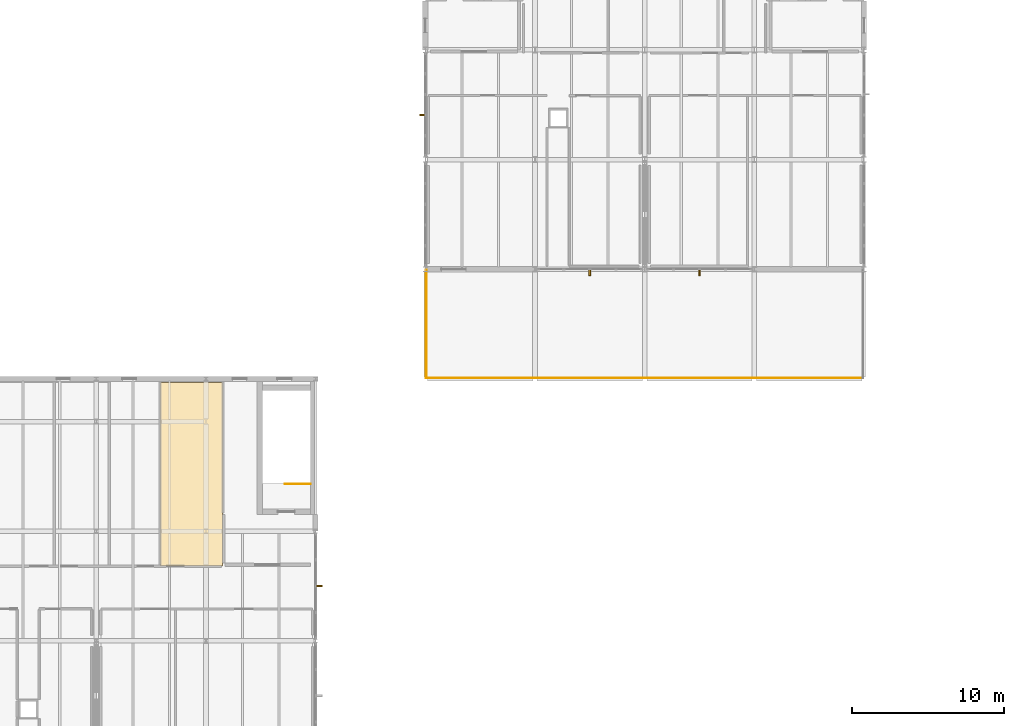
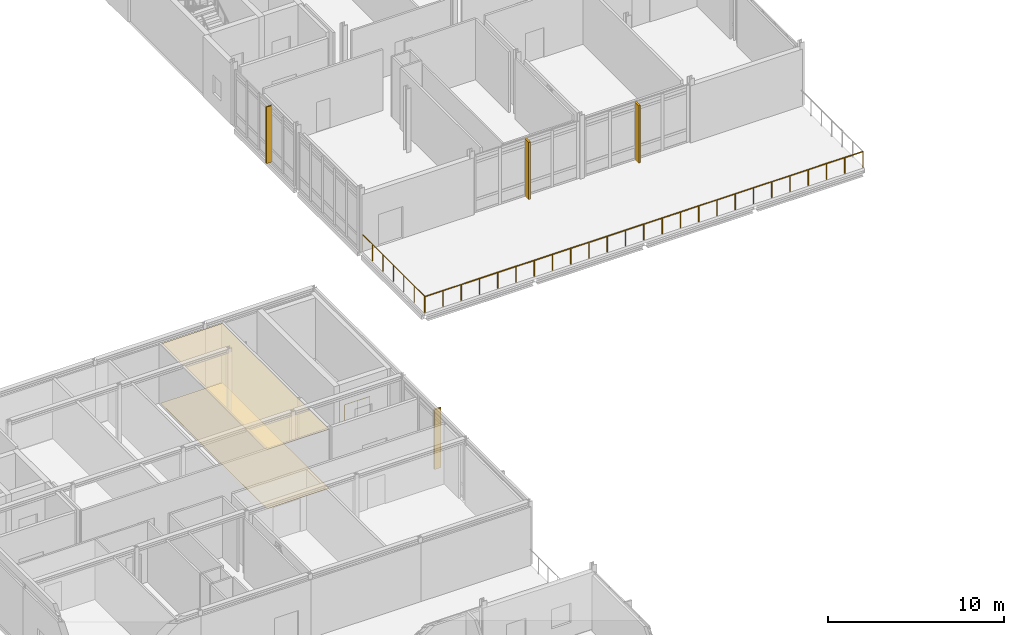
# One storey, part 51 of 53: 4 shading devices, 3 railings, 2 coverings.
"""IFC4 building model written with IfcOpenShell, lengths in metres."""

import ifcopenshell
import ifcopenshell.guid

model = None  # the IFC model being written
_history = None  # IfcOwnerHistory: only IFC2X3 demands one
_inside = {}  # id of a spatial element -> (the spatial element, [elements in it])
_under = {}  # id of a project, library or spatial element -> (it, [spatial elements below it])
_declared = {}  # id of a project -> (the project, [libraries it declares])
_typed = {}  # id of a type object -> (the type object, [elements of that type])
_made_of = {}  # id of a material, layer set ... -> (it, [elements and type objects made of it])


def new_model(schema):
    """Start an empty IFC model of exactly this schema.

    Asked for "IFC4X3", IfcOpenShell would pick the latest addendum, in which some entities
    have other attributes; the version numbers below select the first issue.
    IFC2X3 requires an IfcOwnerHistory on every rooted entity: one is made here for all.
    """
    global model, _history
    if schema == "IFC4X3":
        model = ifcopenshell.file(schema_version=(4, 3, 0, 0))
    else:
        model = ifcopenshell.file(schema=schema)
    _inside.clear()
    _under.clear()
    _declared.clear()
    _typed.clear()
    _made_of.clear()
    _history = None
    if model.schema == "IFC2X3":
        org = make("IfcOrganization", Name="unknown")
        user = make(
            "IfcPersonAndOrganization",
            ThePerson=make("IfcPerson", FamilyName="unknown"),
            TheOrganization=org,
        )
        app = make(
            "IfcApplication",
            ApplicationDeveloper=org,
            Version="unknown",
            ApplicationFullName="unknown",
            ApplicationIdentifier="unknown",
        )
        _history = make(
            "IfcOwnerHistory",
            OwningUser=user,
            OwningApplication=app,
            ChangeAction="ADDED",
            CreationDate=0,
        )
    return model


def make(cls, **values):
    """One entity of the class cls with the attributes given. An attribute that is None is left unset."""
    return model.create_entity(
        cls, **{name: value for name, value in values.items() if value is not None}
    )


def rooted(cls, **values):
    """An entity with a GlobalId (a new one), such as an element, a storey or a relation."""
    return make(cls, GlobalId=ifcopenshell.guid.new(), OwnerHistory=_history, **values)


def si_unit(unit_type, name, prefix=None):
    """IfcSIUnit, for example si_unit("LENGTHUNIT", "METRE", prefix="MILLI")."""
    return make("IfcSIUnit", UnitType=unit_type, Prefix=prefix, Name=name)


def assignment(units):
    """IfcUnitAssignment: the units of a project."""
    return None if units is None else make("IfcUnitAssignment", Units=units)


def point(xyz):
    """IfcCartesianPoint."""
    return None if xyz is None else make("IfcCartesianPoint", Coordinates=xyz)


def direction(xyz):
    """IfcDirection."""
    return None if xyz is None else make("IfcDirection", DirectionRatios=xyz)


def frame(location, z_axis=None, x_axis=None):
    """IfcAxis2Placement3D, a coordinate frame: its origin and axes. An axis left out is left unset."""
    return make(
        "IfcAxis2Placement3D",
        Location=point(location),
        Axis=direction(z_axis),
        RefDirection=direction(x_axis),
    )


def frame_2d(location, x_axis=None):
    """IfcAxis2Placement2D, a coordinate frame in the plane: its origin and x axis."""
    return make(
        "IfcAxis2Placement2D", Location=point(location), RefDirection=direction(x_axis)
    )


def origin():
    """The frame at (0, 0, 0) with its axes left unset."""
    return frame((0.0, 0.0, 0.0))


def origin_2d():
    """The frame at (0, 0) in the plane with its x axis left unset."""
    return frame_2d((0.0, 0.0))


def place(relative_to, where):
    """IfcLocalPlacement: puts the frame where relative to a parent placement (None: the world)."""
    return make(
        "IfcLocalPlacement", PlacementRelTo=relative_to, RelativePlacement=where
    )


def context(
    kind, dimensions, precision=None, world=None, true_north=None, identifier=None
):
    """IfcGeometricRepresentationContext, for example the 3D "Model" context."""
    return make(
        "IfcGeometricRepresentationContext",
        ContextIdentifier=identifier,
        ContextType=kind,
        CoordinateSpaceDimension=dimensions,
        Precision=precision,
        WorldCoordinateSystem=world,
        TrueNorth=true_north,
    )


def subcontext(parent, identifier, kind, view, scale=None):
    """IfcGeometricRepresentationSubContext, for example "Body" below "Model"."""
    return make(
        "IfcGeometricRepresentationSubContext",
        ContextIdentifier=identifier,
        ContextType=kind,
        ParentContext=parent,
        TargetScale=scale,
        TargetView=view,
    )


def project(units=None, contexts=None):
    """IfcProject with its units and contexts."""
    return rooted(
        "IfcProject",
        Name="project",
        RepresentationContexts=contexts,
        UnitsInContext=assignment(units),
    )


def spatial(cls, under=None, at=None, **own):
    """A site, building, storey or space (cls), placed at a placement, below another one or the project."""
    s = rooted(cls, ObjectPlacement=at, **own)
    if under is not None:
        _under.setdefault(under.id(), (under, []))[1].append(s)
    return s


def polyline(points):
    """IfcPolyline through the points."""
    return make("IfcPolyline", Points=[point(p) for p in points])


def profile(cls, at=None, kind="AREA", **sizes):
    """A parametric profile (cls). Its sizes go by their IFC names, for example OverallWidth=200.0."""
    return make(cls, ProfileType=kind, Position=at, **sizes)


def rectangle(**sizes):
    """IfcRectangleProfileDef."""
    return profile("IfcRectangleProfileDef", **sizes)


def circle(**sizes):
    """IfcCircleProfileDef."""
    return profile("IfcCircleProfileDef", **sizes)


def outline(outer, holes=None, kind="AREA"):
    """IfcArbitraryClosedProfileDef: a profile drawn as a closed curve; with holes, ...WithVoids."""
    if holes is None:
        return make("IfcArbitraryClosedProfileDef", ProfileType=kind, OuterCurve=outer)
    return make(
        "IfcArbitraryProfileDefWithVoids",
        ProfileType=kind,
        OuterCurve=outer,
        InnerCurves=holes,
    )


def extrude(swept, where, along, depth):
    """IfcExtrudedAreaSolid: the profile swept, set in the frame where, extruded along a direction by depth."""
    return make(
        "IfcExtrudedAreaSolid",
        SweptArea=swept,
        Position=where,
        ExtrudedDirection=direction(along),
        Depth=depth,
    )


def shape(context_of_items, identifier, shape_type, items):
    """IfcShapeRepresentation: the items that make up one representation, for example the "Body"."""
    return make(
        "IfcShapeRepresentation",
        ContextOfItems=context_of_items,
        RepresentationIdentifier=identifier,
        RepresentationType=shape_type,
        Items=items,
    )


def material(Name=None, Category=None):
    """IfcMaterial."""
    return make("IfcMaterial", Name=Name, Category=Category)


def layer(
    of_material, thickness, ventilated=None, Name=None, Category=None, Priority=None
):
    """IfcMaterialLayer: one layer of a wall or slab, of a material (None: an air gap)."""
    return make(
        "IfcMaterialLayer",
        Material=of_material,
        LayerThickness=thickness,
        IsVentilated=ventilated,
        Name=Name,
        Category=Category,
        Priority=Priority,
    )


def layer_set(layers, Name=None):
    """IfcMaterialLayerSet."""
    return make("IfcMaterialLayerSet", MaterialLayers=layers, LayerSetName=Name)


def made_of(thing, what):
    """Note that an element or type object is made of a material, layer set ...; save() writes the relation."""
    if what is not None:
        _made_of.setdefault(what.id(), (what, []))[1].append(thing)
    return thing


def type_object(cls, material=None, **own):
    """A type object (cls), such as IfcWallType, which elements share."""
    return made_of(rooted(cls, **own), material)


def element(
    cls,
    number,
    at=None,
    inside=None,
    cuts=None,
    type_object=None,
    material=None,
    context=None,
    identifier="Body",
    shape_type=None,
    held_by="IfcProductDefinitionShape",
    body=None,
    shapes=None,
    **own,
):
    """One element of the class cls, such as IfcWall. Its Tag is "e" and its number.

    at: its placement. inside: the storey or other place that contains it. cuts: it is an
    opening in that element (IfcRelVoidsElement). A single representation is given by context,
    identifier, shape_type and body (its items); several are given by shapes. held_by: the class
    of the entity that holds the representations. save() writes the other relations.
    """
    e = rooted(cls, Tag="e%d" % number, ObjectPlacement=at, **own)
    if body is not None:
        shapes = [shape(context, identifier, shape_type, body)]
    if shapes is not None:
        e.Representation = make(held_by, Representations=shapes)
    if inside is not None:
        _inside.setdefault(inside.id(), (inside, []))[1].append(e)
    if cuts is not None:
        rooted(
            "IfcRelVoidsElement", RelatingBuildingElement=cuts, RelatedOpeningElement=e
        )
    if type_object is not None:
        _typed.setdefault(type_object.id(), (type_object, []))[1].append(e)
    return made_of(e, material)


def aggregate(whole, parts):
    """IfcRelAggregates: a whole, such as a stair, and the parts it consists of."""
    return rooted("IfcRelAggregates", RelatingObject=whole, RelatedObjects=parts)


def save(model, path):
    """Write the relations noted so far, then the file.

    IfcRelAggregates (storeys below a building ...), IfcRelContainedInSpatialStructure (elements
    in a storey), IfcRelDefinesByType, IfcRelAssociatesMaterial and IfcRelDeclares: one each for
    every whole, place, type object, material and project.
    """
    for whole, parts in _under.values():
        aggregate(whole, parts)
    for where, things in _inside.values():
        rooted(
            "IfcRelContainedInSpatialStructure",
            RelatedElements=things,
            RelatingStructure=where,
        )
    for kind, things in _typed.values():
        rooted("IfcRelDefinesByType", RelatedObjects=things, RelatingType=kind)
    for what, things in _made_of.values():
        rooted("IfcRelAssociatesMaterial", RelatedObjects=things, RelatingMaterial=what)
    for by, libraries in _declared.values():
        rooted("IfcRelDeclares", RelatingContext=by, RelatedDefinitions=libraries)
    model.write(path)


model = new_model("IFC4")

# Units and contexts
model_context = context("Model", 3, precision=1e-05, world=origin(), true_north=direction((0.0, 1.0)))
body_context = subcontext(model_context, "Body", "Model", "MODEL_VIEW")
ifc_project = project(units=[si_unit("LENGTHUNIT", "METRE"), si_unit("AREAUNIT", "SQUARE_METRE"), si_unit("VOLUMEUNIT", "CUBIC_METRE"), si_unit("PLANEANGLEUNIT", "RADIAN"), si_unit("MASSUNIT", "GRAM", prefix="KILO")], contexts=[model_context])

# Site, building, storey
site_placement = place(None, origin())
site = spatial("IfcSite", under=ifc_project, at=site_placement, CompositionType="ELEMENT")
building_placement = place(site_placement, origin())
building = spatial("IfcBuilding", under=site, at=building_placement, Name="Zarrinpeak Specialist Clinic", CompositionType="ELEMENT")
storey_placement = place(building_placement, frame((0.0, 0.0, 14.0)))
storey = spatial("IfcBuildingStorey", under=building, at=storey_placement, Name="L03", CompositionType="ELEMENT", Elevation=14.0)

# Coverings
ifc_material_1 = material(Name="Hygienic Acoustic Mineral Fibre Tile")
ifc_layer_1 = layer(ifc_material_1, 0.02490234375)
ifc_layer_set_1 = layer_set([ifc_layer_1], Name="Hygienic Acoustic Mineral Fibre Tile")
covering_type_1 = type_object("IfcCoveringType", Name="CV-CEIL-AC", PredefinedType="CEILING", material=ifc_layer_set_1)
covering_1_placement = place(storey_placement, frame((0.0, 0.0, 4.0849609375)))
element("IfcCovering", 1, at=covering_1_placement, inside=storey, type_object=covering_type_1, Name="L03 Specialist Consultation Room 1 Hygienic Acoustic Ceiling", PredefinedType="CEILING", context=body_context, shape_type="SweptSolid", body=[
    extrude(outline(polyline([(18.6201171875, 69.719970703125), (22.679931640625, 69.719970703125), (22.679931640625, 81.780029296875), (18.6201171875, 81.780029296875), (18.6201171875, 69.719970703125)])), origin(), (0.0, 0.0, 1.0), 0.025146484375),
])
ifc_material_2 = material(Name="Homogeneous Antimicrobial Clinical Vinyl")
ifc_layer_2 = layer(ifc_material_2, 0.008056640625)
ifc_layer_set_2 = layer_set([ifc_layer_2], Name="Homogeneous Antimicrobial Clinical Vinyl")
covering_type_2 = type_object("IfcCoveringType", Name="CV-FLR-VN", PredefinedType="FLOORING", material=ifc_layer_set_2)
covering_2_placement = place(storey_placement, frame((0.0, 0.0, 0.0009765625)))
element("IfcCovering", 2, at=covering_2_placement, inside=storey, type_object=covering_type_2, Name="L03 Specialist Consultation Room 1 Antimicrobial Vinyl Flooring", PredefinedType="FLOORING", context=body_context, shape_type="SweptSolid", body=[
    extrude(outline(polyline([(18.6201171875, 69.719970703125), (22.679931640625, 69.719970703125), (22.679931640625, 81.780029296875), (18.6201171875, 81.780029296875), (18.6201171875, 69.719970703125)])), origin(), (0.0, 0.0, 1.0), 0.008056640625),
])

# Railings
ifc_material_3 = material(Name="Powder-Coated Steel Post-and-Rail Balustrade", Category="steel")
ifc_layer_3 = layer(ifc_material_3, 0.06005859375)
ifc_layer_set_3 = layer_set([ifc_layer_3], Name="Powder-Coated Steel Post-and-Rail Balustrade")
railing_type_1 = type_object("IfcRailingType", Name="RL-BAL110", PredefinedType="BALUSTRADE", material=ifc_layer_set_3)
railing_1_placement = place(storey_placement, frame((36.06005859375, 82.06005859375, 0.0)))
element("IfcRailing", 3, at=railing_1_placement, inside=storey, type_object=railing_type_1, Name="L03 V6 Terrace Perimeter Guardrail GR-016", PredefinedType="BALUSTRADE", context=body_context, shape_type="SweptSolid", body=[
    extrude(circle(Radius=0.02392578125, at=origin_2d()), frame((0.0, 0.0, 1.09619140625), z_axis=(1.0, 0.0, 0.0), x_axis=(0.0, 1.0, 0.0)), (0.0, 0.0, 1.0), 28.679931640625),
    extrude(circle(Radius=0.02099609375, at=origin_2d()), origin(), (0.0, 0.0, 1.0), 1.072021484375),
    extrude(circle(Radius=0.02099609375, at=origin_2d()), frame((1.195068359375, 0.0, 0.0)), (0.0, 0.0, 1.0), 1.072021484375),
    extrude(circle(Radius=0.02099609375, at=origin_2d()), frame((2.389892578125, 0.0, 0.0)), (0.0, 0.0, 1.0), 1.072021484375),
    extrude(circle(Radius=0.02099609375, at=origin_2d()), frame((3.5849609375, 0.0, 0.0)), (0.0, 0.0, 1.0), 1.072021484375),
    extrude(circle(Radius=0.02099609375, at=origin_2d()), frame((4.780029296875, 0.0, 0.0)), (0.0, 0.0, 1.0), 1.072021484375),
    extrude(circle(Radius=0.02099609375, at=origin_2d()), frame((5.97509765625, 0.0, 0.0)), (0.0, 0.0, 1.0), 1.072021484375),
    extrude(circle(Radius=0.02099609375, at=origin_2d()), frame((7.169921875, 0.0, 0.0)), (0.0, 0.0, 1.0), 1.072021484375),
    extrude(circle(Radius=0.02099609375, at=origin_2d()), frame((8.364990234375, 0.0, 0.0)), (0.0, 0.0, 1.0), 1.072021484375),
    extrude(circle(Radius=0.02099609375, at=origin_2d()), frame((9.56005859375, 0.0, 0.0)), (0.0, 0.0, 1.0), 1.072021484375),
    extrude(circle(Radius=0.02099609375, at=origin_2d()), frame((10.7548828125, 0.0, 0.0)), (0.0, 0.0, 1.0), 1.072021484375),
    extrude(circle(Radius=0.02099609375, at=origin_2d()), frame((11.949951171875, 0.0, 0.0)), (0.0, 0.0, 1.0), 1.072021484375),
    extrude(circle(Radius=0.02099609375, at=origin_2d()), frame((13.14501953125, 0.0, 0.0)), (0.0, 0.0, 1.0), 1.072021484375),
    extrude(circle(Radius=0.02099609375, at=origin_2d()), frame((14.33984375, 0.0, 0.0)), (0.0, 0.0, 1.0), 1.072021484375),
    extrude(circle(Radius=0.02099609375, at=origin_2d()), frame((15.534912109375, 0.0, 0.0)), (0.0, 0.0, 1.0), 1.072021484375),
    extrude(circle(Radius=0.02099609375, at=origin_2d()), frame((16.72998046875, 0.0, 0.0)), (0.0, 0.0, 1.0), 1.072021484375),
    extrude(circle(Radius=0.02099609375, at=origin_2d()), frame((17.925048828125, 0.0, 0.0)), (0.0, 0.0, 1.0), 1.072021484375),
    extrude(circle(Radius=0.02099609375, at=origin_2d()), frame((19.119873046875, 0.0, 0.0)), (0.0, 0.0, 1.0), 1.072021484375),
    extrude(circle(Radius=0.02099609375, at=origin_2d()), frame((20.31494140625, 0.0, 0.0)), (0.0, 0.0, 1.0), 1.072021484375),
    extrude(circle(Radius=0.02099609375, at=origin_2d()), frame((21.510009765625, 0.0, 0.0)), (0.0, 0.0, 1.0), 1.072021484375),
    extrude(circle(Radius=0.02099609375, at=origin_2d()), frame((22.704833984375, 0.0, 0.0)), (0.0, 0.0, 1.0), 1.072021484375),
    extrude(circle(Radius=0.02099609375, at=origin_2d()), frame((23.89990234375, 0.0, 0.0)), (0.0, 0.0, 1.0), 1.072021484375),
    extrude(circle(Radius=0.02099609375, at=origin_2d()), frame((25.094970703125, 0.0, 0.0)), (0.0, 0.0, 1.0), 1.072021484375),
    extrude(circle(Radius=0.02099609375, at=origin_2d()), frame((26.2900390625, 0.0, 0.0)), (0.0, 0.0, 1.0), 1.072021484375),
    extrude(circle(Radius=0.02099609375, at=origin_2d()), frame((27.48486328125, 0.0, 0.0)), (0.0, 0.0, 1.0), 1.072021484375),
    extrude(circle(Radius=0.02099609375, at=origin_2d()), frame((28.679931640625, 0.0, 0.0)), (0.0, 0.0, 1.0), 1.072021484375),
])
ifc_material_4 = material(Name="Laminated Safety Glass and Stainless Steel 316", Category="steel")
ifc_layer_4 = layer(ifc_material_4, 0.06005859375)
ifc_layer_set_4 = layer_set([ifc_layer_4], Name="Laminated Safety Glass and Stainless Steel 316")
railing_type_2 = type_object("IfcRailingType", Name="RL-GRD115", PredefinedType="GUARDRAIL", material=ifc_layer_set_4)
railing_2_placement = place(storey_placement, frame((36.06005859375, 82.06005859375, 0.0)))
element("IfcRailing", 4, at=railing_2_placement, inside=storey, type_object=railing_type_2, Name="L03 V6 Terrace Perimeter Guardrail GR-017", PredefinedType="GUARDRAIL", context=body_context, shape_type="SweptSolid", body=[
    extrude(circle(Radius=0.02392578125, at=origin_2d()), frame((0.0, 0.0, 1.1259765625), z_axis=(0.0, 1.0, 0.0), x_axis=(-1.0, 0.0, 0.0)), (0.0, 0.0, 1.0), 7.079833984375),
    extrude(circle(Radius=0.02099609375, at=origin_2d()), origin(), (0.0, 0.0, 1.0), 1.101806640625),
    extrude(circle(Radius=0.02099609375, at=origin_2d()), frame((0.0, 1.179931640625, 0.0)), (0.0, 0.0, 1.0), 1.101806640625),
    extrude(circle(Radius=0.02099609375, at=origin_2d()), frame((0.0, 2.35986328125, 0.0)), (0.0, 0.0, 1.0), 1.101806640625),
    extrude(circle(Radius=0.02099609375, at=origin_2d()), frame((0.0, 3.5400390625, 0.0)), (0.0, 0.0, 1.0), 1.101806640625),
    extrude(circle(Radius=0.02099609375, at=origin_2d()), frame((0.0, 4.719970703125, 0.0)), (0.0, 0.0, 1.0), 1.101806640625),
    extrude(circle(Radius=0.02099609375, at=origin_2d()), frame((0.0, 5.89990234375, 0.0)), (0.0, 0.0, 1.0), 1.101806640625),
    extrude(circle(Radius=0.02099609375, at=origin_2d()), frame((0.0, 7.079833984375, 0.0)), (0.0, 0.0, 1.0), 1.101806640625),
])
railing_3_placement = place(storey_placement, frame((28.449951171875, 75.10009765625, 0.0)))
element("IfcRailing", 5, at=railing_3_placement, inside=storey, type_object=railing_type_2, Name="L03 ST-10 top well guard 1", PredefinedType="GUARDRAIL", context=body_context, shape_type="SweptSolid", body=[
    extrude(circle(Radius=0.02392578125, at=origin_2d()), frame((0.0, 0.0, 1.076171875), z_axis=(-1.0, 0.0, 0.0), x_axis=(0.0, -1.0, 0.0)), (0.0, 0.0, 1.0), 1.64990234375),
    extrude(circle(Radius=0.02099609375, at=origin_2d()), origin(), (0.0, 0.0, 1.0), 1.052001953125),
    extrude(circle(Radius=0.02099609375, at=origin_2d()), frame((-0.824951171875, 0.0, 0.0)), (0.0, 0.0, 1.0), 1.052001953125),
    extrude(circle(Radius=0.02099609375, at=origin_2d()), frame((-1.64990234375, 0.0, 0.0)), (0.0, 0.0, 1.0), 1.052001953125),
])

# Shading devices
ifc_material_5 = material(Name="Anodised Bronze Aluminium", Category="aluminium")
shading_device_type_1 = type_object("IfcShadingDeviceType", Name="SHD-FIN-BZ", PredefinedType="JALOUSIE", material=ifc_material_5)
shading_device_1_placement = place(storey_placement, frame((35.8349609375, 99.321044921875, -0.01513671875), z_axis=(0.0, 0.0, 1.0), x_axis=(1.0, 0.0, 0.0)))
element("IfcShadingDevice", 6, at=shading_device_1_placement, inside=storey, type_object=shading_device_type_1, Name="L03 V6 Solar Control Fin FIN-095", PredefinedType="JALOUSIE", context=body_context, shape_type="SweptSolid", body=[
    extrude(rectangle(XDim=0.3798828125, YDim=0.074951171875, at=origin_2d()), origin(), (0.0, 0.0, 1.0), 3.9150390625),
])
ifc_material_6 = material(Name="Glulam GL28h", Category="wood")
shading_device_type_2 = type_object("IfcShadingDeviceType", Name="SHD-FIN-GL", PredefinedType="USERDEFINED", material=ifc_material_6)
shading_device_2_placement = place(storey_placement, frame((29.0, 68.39990234375, -0.01513671875), z_axis=(0.0, 0.0, 1.0), x_axis=(1.0, 0.0, 0.0)))
element("IfcShadingDevice", 7, at=shading_device_2_placement, inside=storey, type_object=shading_device_type_2, Name="L03 V5 Cedar-Glulam Courtyard Fin FIN-080", ObjectType="SUNSHADE", PredefinedType="USERDEFINED", context=body_context, shape_type="SweptSolid", body=[
    extrude(rectangle(XDim=0.449951171875, YDim=0.110107421875, at=origin_2d()), origin(), (0.0, 0.0, 1.0), 4.139892578125),
])
for number, where, z_axis, x_axis, name in (
    (8, (46.800048828125, 89.0, -0.01513671875), (0.0, 0.0, 1.0), (1.0, 0.0, 0.0), "L03 V6 Cedar-Glulam Courtyard Fin FIN-093"),
    (9, (54.0, 89.0, -0.01513671875), (0.0, 0.0, 1.0), (1.0, 0.0, 0.0), "L03 V6 Cedar-Glulam Courtyard Fin FIN-094"),
):
    element("IfcShadingDevice", number, at=place(storey_placement, frame(where, z_axis=z_axis, x_axis=x_axis)), inside=storey, type_object=shading_device_type_2, Name=name, ObjectType="SUNSHADE", PredefinedType="USERDEFINED", context=body_context, shape_type="SweptSolid", body=[
        extrude(rectangle(XDim=0.110107421875, YDim=0.449951171875, at=origin_2d()), origin(), (0.0, 0.0, 1.0), 3.965087890625),
    ])

save(model, "model.ifc")
